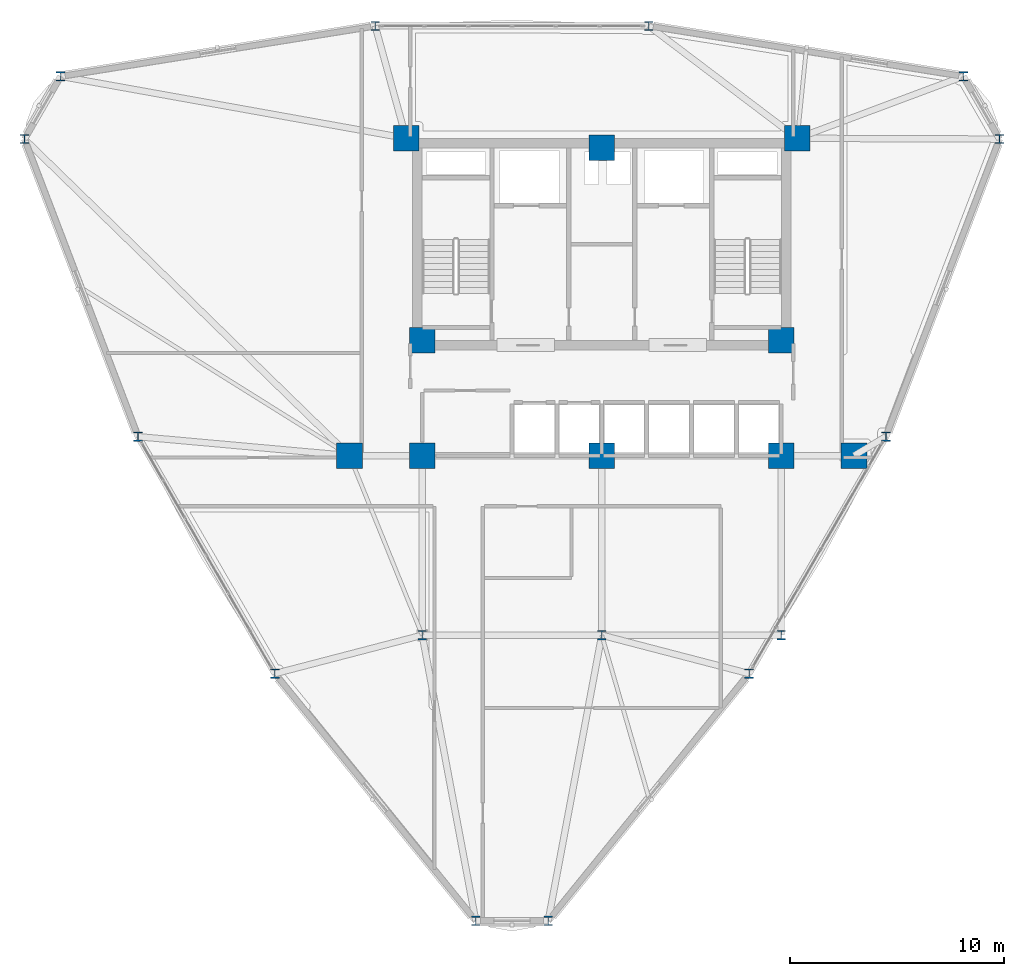
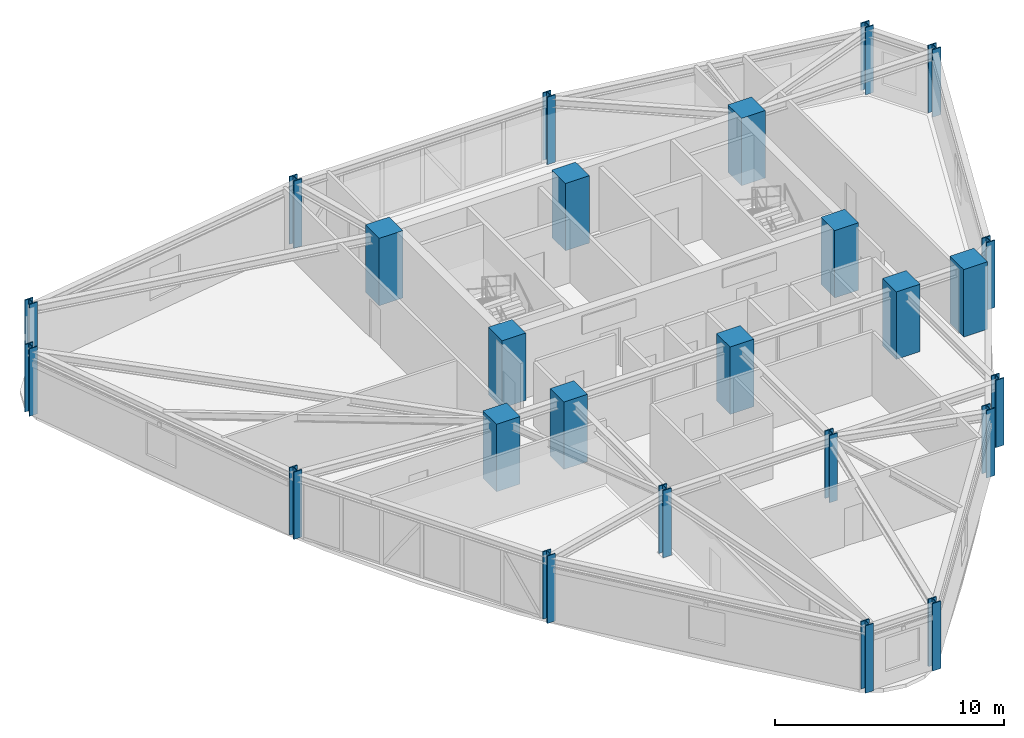
# One storey, part 1 of 15: 25 columns.
"""IFC4 building model written with IfcOpenShell, lengths in metres."""

from ifc_helpers import new_model, si_unit, derived_unit, direction, frame, origin, origin_2d, place, context, subcontext, project, spatial, rectangle, i_section, extrude, source, transform, mapped, material, material_profile, profile_set, type_object, element, save


model = new_model("IFC4")

# Units and contexts
model_context = context("Model", 3, precision=1e-05, world=origin(), true_north=direction((0.0, 1.0)))
body_context = subcontext(model_context, "Body", "Model", "MODEL_VIEW")
ifc_project = project(units=[si_unit("LENGTHUNIT", "METRE"), si_unit("AREAUNIT", "SQUARE_METRE"), si_unit("VOLUMEUNIT", "CUBIC_METRE"), si_unit("PLANEANGLEUNIT", "RADIAN"), si_unit("MASSUNIT", "GRAM", prefix="KILO"), derived_unit("THERMALTRANSMITTANCEUNIT", [(si_unit("POWERUNIT", "WATT"), 1), (si_unit("LENGTHUNIT", "METRE"), -2), (si_unit("THERMODYNAMICTEMPERATUREUNIT", "KELVIN"), -1)])], contexts=[model_context])

# Site, building, storey
site_placement = place(None, origin())
site = spatial("IfcSite", under=ifc_project, at=site_placement, CompositionType="ELEMENT")
building_placement = place(site_placement, origin())
building = spatial("IfcBuilding", under=site, at=building_placement, Name="Korsvarv Bourse and Concert Hall", CompositionType="ELEMENT")
storey_placement = place(building_placement, frame((0.0, 0.0, 157.800048828125)))
storey = spatial("IfcBuildingStorey", under=building, at=storey_placement, Name="L40", CompositionType="ELEMENT", Elevation=157.800048828125)

# Columns
ifc_material_1 = material(Name="Concrete C60/75", Category="concrete")
ifc_material_profile_1 = material_profile(ifc_material_1, rectangle(XDim=1.199951171875, YDim=1.199951171875, at=origin_2d()), Name="RC 1200x1200")
ifc_profile_set_1 = profile_set([ifc_material_profile_1], Name="Concrete C60/75")
column_type_1 = type_object("IfcColumnType", Name="COL-RC1200", PredefinedType="COLUMN", material=ifc_profile_set_1)
shared_shape_1 = source(origin(), body_context, "Body", "SweptSolid", [
    extrude(rectangle(XDim=1.199951171875, YDim=1.199951171875, at=origin_2d()), origin(), (0.0, 0.0, 1.0), 3.599853515625),
])
for number, where, z_axis, x_axis, name in (
    (1, (26.85009765625, 47.25, 0.0), (0.0, 0.0, 1.0), (1.0, 0.0, 0.0), "L40 column C-02"),
    (2, (45.14990234375, 47.25, 0.0), (0.0, 0.0, 1.0), (1.0, 0.0, 0.0), "L40 column C-02"),
    (3, (27.60009765625, 37.800048828125, 0.0), (0.0, 0.0, 1.0), (1.0, 0.0, 0.0), "L40 column C-02"),
    (4, (44.39990234375, 37.800048828125, 0.0), (0.0, 0.0, 1.0), (1.0, 0.0, 0.0), "L40 column C-02"),
    (5, (27.60009765625, 32.39990234375, 0.0), (0.0, 0.0, 1.0), (1.0, 0.0, 0.0), "L40 column C-02"),
    (6, (44.39990234375, 32.39990234375, 0.0), (0.0, 0.0, 1.0), (1.0, 0.0, 0.0), "L40 column C-02"),
    (7, (36.0, 46.800048828125, 0.0), (0.0, 0.0, 1.0), (1.0, 0.0, 0.0), "L40 column C-02"),
    (8, (36.0, 32.39990234375, 0.0), (0.0, 0.0, 1.0), (1.0, 0.0, 0.0), "L40 column C-02"),
    (9, (24.199951171875, 32.39990234375, 0.0), (0.0, 0.0, 1.0), (1.0, 0.0, 0.0), "L40 column C-02"),
    (10, (47.800048828125, 32.39990234375, 0.0), (0.0, 0.0, 1.0), (1.0, 0.0, 0.0), "L40 column C-02"),
):
    element("IfcColumn", number, at=place(storey_placement, frame(where, z_axis=z_axis, x_axis=x_axis)), inside=storey, type_object=column_type_1, Name=name, PredefinedType="COLUMN", context=body_context, shape_type="MappedRepresentation", body=[
        mapped(shared_shape_1, transform((0.0, 0.0, 0.0), scale=1.0)),
    ])
ifc_material_2 = material(Name="Steel S355", Category="steel")
ifc_material_profile_2 = material_profile(ifc_material_2, i_section(OverallWidth=0.412109375, OverallDepth=0.43505859375, WebThickness=0.032958984375, FlangeThickness=0.052978515625, FilletRadius=0.014892578125, at=origin_2d()), Name="HD 400x463")
ifc_profile_set_2 = profile_set([ifc_material_profile_2], Name="Steel S355")
column_type_2 = type_object("IfcColumnType", Name="COL-HD463", PredefinedType="COLUMN", material=ifc_profile_set_2)
shared_shape_2 = source(origin(), body_context, "Body", "SweptSolid", [
    extrude(i_section(OverallWidth=0.412109375, OverallDepth=0.43505859375, WebThickness=0.032958984375, FlangeThickness=0.052978515625, FilletRadius=0.014892578125, at=origin_2d()), origin(), (0.0, 0.0, 1.0), 3.599853515625),
])
for number, where, z_axis, x_axis, name in (
    (11, (27.60009765625, 24.0, 0.0), (0.0, 0.0, 1.0), (1.0, 0.0, 0.0), "L40 column C-09"),
    (12, (44.39990234375, 24.0, 0.0), (0.0, 0.0, 1.0), (1.0, 0.0, 0.0), "L40 column C-09"),
    (13, (36.0, 24.0, 0.0), (0.0, 0.0, 1.0), (1.0, 0.0, 0.0), "L40 column C-09"),
    (14, (54.6142578125, 47.2138671875, 0.0), (0.0, 0.0, 1.0), (1.0, 0.0, 0.0), "L40 column C-09"),
    (15, (52.918701171875, 50.15087890625, 0.0), (0.0, 0.0, 1.0), (1.0, 0.0, 0.0), "L40 column C-09"),
    (16, (38.201416015625, 52.507568359375, 0.0), (0.0, 0.0, 1.0), (1.0, 0.0, 0.0), "L40 column C-09"),
    (17, (25.3984375, 52.507568359375, 0.0), (0.0, 0.0, 1.0), (1.0, 0.0, 0.0), "L40 column C-09"),
    (18, (10.681396484375, 50.15087890625, 0.0), (0.0, 0.0, 1.0), (1.0, 0.0, 0.0), "L40 column C-09"),
    (19, (8.985595703125, 47.2138671875, 0.0), (0.0, 0.0, 1.0), (1.0, 0.0, 0.0), "L40 column C-09"),
    (20, (14.30322265625, 33.2900390625, 0.0), (0.0, 0.0, 1.0), (1.0, 0.0, 0.0), "L40 column C-09"),
    (21, (20.704833984375, 22.202392578125, 0.0), (0.0, 0.0, 1.0), (1.0, 0.0, 0.0), "L40 column C-09"),
    (22, (30.104248046875, 10.63525390625, 0.0), (0.0, 0.0, 1.0), (1.0, 0.0, 0.0), "L40 column C-09"),
    (23, (33.49560546875, 10.63525390625, 0.0), (0.0, 0.0, 1.0), (1.0, 0.0, 0.0), "L40 column C-09"),
    (24, (42.895263671875, 22.202392578125, 0.0), (0.0, 0.0, 1.0), (1.0, 0.0, 0.0), "L40 column C-09"),
    (25, (49.296630859375, 33.2900390625, 0.0), (0.0, 0.0, 1.0), (1.0, 0.0, 0.0), "L40 column C-09"),
):
    element("IfcColumn", number, at=place(storey_placement, frame(where, z_axis=z_axis, x_axis=x_axis)), inside=storey, type_object=column_type_2, Name=name, PredefinedType="COLUMN", context=body_context, shape_type="MappedRepresentation", body=[
        mapped(shared_shape_2, transform((0.0, 0.0, 0.0), scale=1.0)),
    ])

save(model, "model.ifc")
